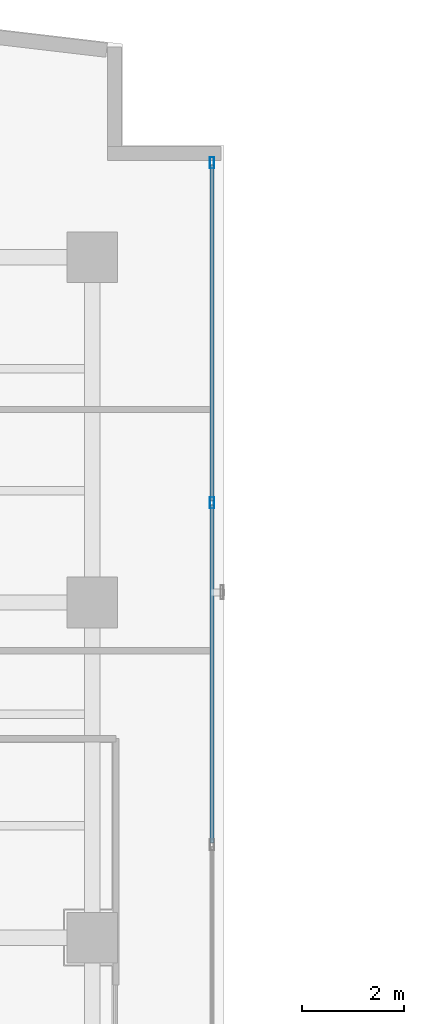
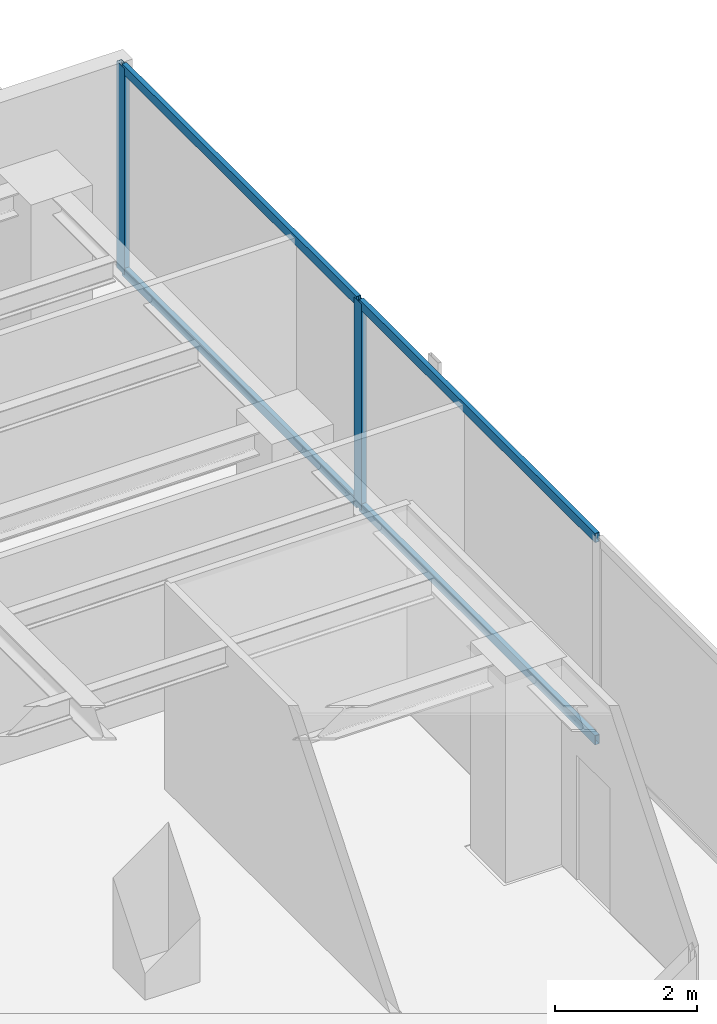
# One storey, part 15 of 24: 6 members, 1 element without a shape of its own.
"""IFC4 building model written with IfcOpenShell, lengths in metres."""

from ifc_helpers import new_model, si_unit, direction, frame, origin, origin_with_axes, origin_2d, place, context, subcontext, project, spatial, hollow_rectangle, extrude, source, transform, mapped, material, layer, layer_set, material_profile, profile_set, type_object, element, aggregate, save


model = new_model("IFC4")

# Units and contexts
model_context = context("Model", 3, precision=1e-05, world=origin(), true_north=direction((0.0, 1.0)))
body_context = subcontext(model_context, "Body", "Model", "MODEL_VIEW")
ifc_project = project(units=[si_unit("LENGTHUNIT", "METRE"), si_unit("AREAUNIT", "SQUARE_METRE"), si_unit("VOLUMEUNIT", "CUBIC_METRE"), si_unit("PLANEANGLEUNIT", "RADIAN"), si_unit("MASSUNIT", "GRAM", prefix="KILO")], contexts=[model_context])

# Site, building, storey
site_placement = place(None, origin())
site = spatial("IfcSite", under=ifc_project, at=site_placement, CompositionType="ELEMENT")
building_placement = place(site_placement, origin())
building = spatial("IfcBuilding", under=site, at=building_placement, Name="Kolvaren Waterfront Exchange", CompositionType="ELEMENT")
storey_placement = place(building_placement, frame((0.0, 0.0, 208.300048828125)))
storey = spatial("IfcBuildingStorey", under=building, at=storey_placement, Name="L53", CompositionType="ELEMENT", Elevation=208.300048828125)

# Curtain wall, members
ifc_material_1 = material(Name="Anodised bronze aluminium 6063-T6", Category="aluminium")
ifc_layer = layer(ifc_material_1, 0.219970703125, Name="Anodised bronze aluminium 6063-T6")
ifc_layer_set = layer_set([ifc_layer], Name="Anodised bronze aluminium 6063-T6")
curtain_wall_type = type_object("IfcCurtainWallType", Name="ARC-CW-SYS1", PredefinedType="USERDEFINED", material=ifc_layer_set)
curtain_wall_placement = place(storey_placement, origin())
curtain_wall = element("IfcCurtainWall", 1, at=curtain_wall_placement, inside=storey, type_object=curtain_wall_type, Name="L53 stick curtain wall CW1 (CW-L53-NE)", ObjectType="STICK CURTAIN WALL", PredefinedType="USERDEFINED")
ifc_material_2 = material(Name="Anodised aluminium 6063-T6", Category="aluminium")
ifc_material_profile_1 = material_profile(ifc_material_2, hollow_rectangle(XDim=0.080078125, YDim=0.219970703125, WallThickness=0.0048828125, at=origin_2d()), Name="ALU-MUL-220x80x5")
ifc_profile_set_1 = profile_set([ifc_material_profile_1], Name="Anodised aluminium 6063-T6")
member_type_1 = type_object("IfcMemberType", Name="ARC-CWM-220", PredefinedType="MULLION", material=ifc_profile_set_1)
shared_shape_1 = source(origin_with_axes(), body_context, "Body", "SweptSolid", [
    extrude(hollow_rectangle(XDim=0.080078125, YDim=0.219970703125, WallThickness=0.0048828125, at=origin_2d()), origin(), (0.0, 0.0, 1.0), 3.56005859375),
])
member_1_placement = place(storey_placement, frame((21.159912109375, 39.763427734375, 0.0), z_axis=(0.0, 0.0, 1.0), x_axis=(-1.0, 0.0, 0.0)))
member_1 = element("IfcMember", 2, at=member_1_placement, type_object=member_type_1, Name="CW1 mullion 3", PredefinedType="MULLION", context=body_context, shape_type="MappedRepresentation", body=[
    mapped(shared_shape_1, transform((0.0, 0.0, 0.0), x_axis=(1.0, 0.0, 0.0), y_axis=(0.0, 1.0, 0.0), z_axis=(0.0, 0.0, 1.0), scale=1.0)),
])
member_2_placement = place(storey_placement, frame((21.159912109375, 46.4599609375, 0.0), z_axis=(0.0, 0.0, 1.0), x_axis=(-1.0, 0.0, 0.0)))
member_2 = element("IfcMember", 3, at=member_2_placement, type_object=member_type_1, Name="CW1 mullion 4", PredefinedType="MULLION", context=body_context, shape_type="MappedRepresentation", body=[
    mapped(shared_shape_1, transform((0.0, 0.0, 0.0), x_axis=(1.0, 0.0, 0.0), y_axis=(0.0, 1.0, 0.0), z_axis=(0.0, 0.0, 1.0), scale=1.0)),
])
ifc_material_profile_2 = material_profile(ifc_material_2, hollow_rectangle(XDim=0.074951171875, YDim=0.159912109375, WallThickness=0.00439453125, at=origin_2d()), Name="ALU-TRN-160x75x4.5")
ifc_profile_set_2 = profile_set([ifc_material_profile_2], Name="Anodised aluminium 6063-T6")
member_type_2 = type_object("IfcMemberType", Name="ARC-CWT-160", PredefinedType="USERDEFINED", material=ifc_profile_set_2)
shared_shape_2 = source(origin_with_axes(), body_context, "Body", "SweptSolid", [
    extrude(hollow_rectangle(XDim=0.074951171875, YDim=0.159912109375, WallThickness=0.00439453125, at=origin_2d()), origin(), (0.0, 0.0, 1.0), 6.65673828125),
])
member_3_placement = place(storey_placement, frame((21.159912109375, 33.066650390625, 0.037353515625), z_axis=(0.0, 1.0, 0.0), x_axis=(-1.0, 0.0, 0.0)))
member_3 = element("IfcMember", 4, at=member_3_placement, type_object=member_type_2, Name="CW1 transom 2.1", ObjectType="TRANSOM", PredefinedType="USERDEFINED", context=body_context, shape_type="MappedRepresentation", body=[
    mapped(shared_shape_2, transform((0.0, 0.0, 0.0), x_axis=(1.0, 0.0, 0.0), y_axis=(0.0, 1.0, 0.0), z_axis=(0.0, 0.0, 1.0), scale=1.0)),
])
member_4_placement = place(storey_placement, frame((21.159912109375, 33.066650390625, 3.5224609375), z_axis=(0.0, 1.0, 0.0), x_axis=(-1.0, 0.0, 0.0)))
member_4 = element("IfcMember", 5, at=member_4_placement, type_object=member_type_2, Name="CW1 transom 2.2", ObjectType="TRANSOM", PredefinedType="USERDEFINED", context=body_context, shape_type="MappedRepresentation", body=[
    mapped(shared_shape_2, transform((0.0, 0.0, 0.0), x_axis=(1.0, 0.0, 0.0), y_axis=(0.0, 1.0, 0.0), z_axis=(0.0, 0.0, 1.0), scale=1.0)),
])
shared_shape_3 = source(origin_with_axes(), body_context, "Body", "SweptSolid", [
    extrude(hollow_rectangle(XDim=0.074951171875, YDim=0.159912109375, WallThickness=0.00439453125, at=origin_2d()), origin(), (0.0, 0.0, 1.0), 6.61669921875),
])
member_5_placement = place(storey_placement, frame((21.159912109375, 39.80322265625, 0.037353515625), z_axis=(0.0, 1.0, 0.0), x_axis=(-1.0, 0.0, 0.0)))
member_5 = element("IfcMember", 6, at=member_5_placement, type_object=member_type_2, Name="CW1 transom 3.1", ObjectType="TRANSOM", PredefinedType="USERDEFINED", context=body_context, shape_type="MappedRepresentation", body=[
    mapped(shared_shape_3, transform((0.0, 0.0, 0.0), x_axis=(1.0, 0.0, 0.0), y_axis=(0.0, 1.0, 0.0), z_axis=(0.0, 0.0, 1.0), scale=1.0)),
])
member_6_placement = place(storey_placement, frame((21.159912109375, 39.80322265625, 3.5224609375), z_axis=(0.0, 1.0, 0.0), x_axis=(-1.0, 0.0, 0.0)))
member_6 = element("IfcMember", 7, at=member_6_placement, type_object=member_type_2, Name="CW1 transom 3.2", ObjectType="TRANSOM", PredefinedType="USERDEFINED", context=body_context, shape_type="MappedRepresentation", body=[
    mapped(shared_shape_3, transform((0.0, 0.0, 0.0), x_axis=(1.0, 0.0, 0.0), y_axis=(0.0, 1.0, 0.0), z_axis=(0.0, 0.0, 1.0), scale=1.0)),
])
aggregate(curtain_wall, [member_1, member_2, member_3, member_4, member_5, member_6])

save(model, "model.ifc")
